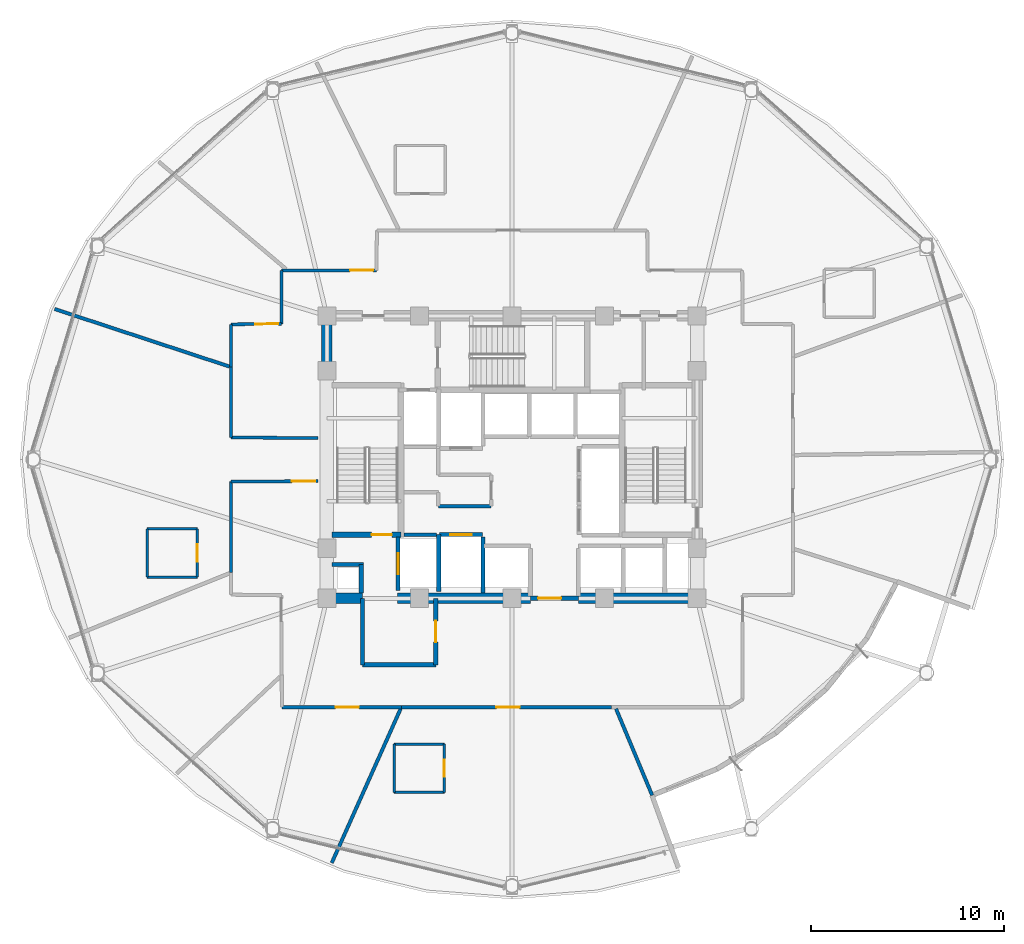
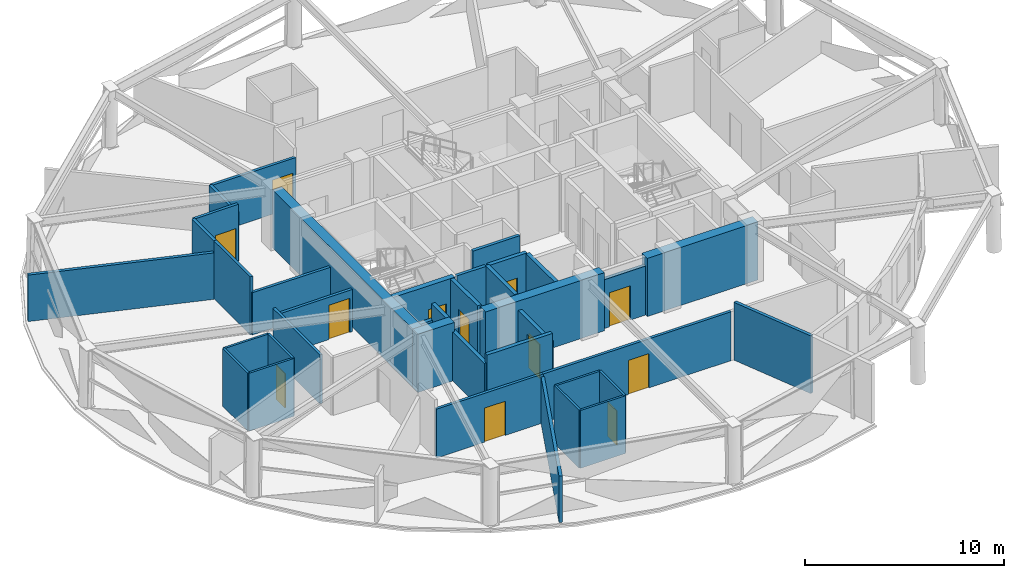
# One storey, part 10 of 16: 38 walls, 12 doors, 12 openings.
"""IFC4 building model written with IfcOpenShell, lengths in metres."""

from ifc_helpers import new_model, si_unit, direction, frame, frame_2d, origin, place, context, subcontext, project, spatial, rectangle, extrude, material, layer, layer_set, type_object, element, fill, save


model = new_model("IFC4")

# Units and contexts
model_context = context("Model", 3, precision=1e-05, world=origin(), true_north=direction((0.0, 1.0)))
body_context = subcontext(model_context, "Body", "Model", "MODEL_VIEW")
ifc_project = project(units=[si_unit("LENGTHUNIT", "METRE"), si_unit("AREAUNIT", "SQUARE_METRE"), si_unit("VOLUMEUNIT", "CUBIC_METRE"), si_unit("PLANEANGLEUNIT", "RADIAN"), si_unit("MASSUNIT", "GRAM", prefix="KILO")], contexts=[model_context])

# Site, building, storey
site_placement = place(None, origin())
site = spatial("IfcSite", under=ifc_project, at=site_placement, CompositionType="ELEMENT")
building_placement = place(site_placement, origin())
building = spatial("IfcBuilding", under=site, at=building_placement, Name="Vantalir Tower", CompositionType="ELEMENT")
storey_placement = place(building_placement, frame((0.0, 0.0, 145.949951171875)))
storey = spatial("IfcBuildingStorey", under=building, at=storey_placement, Name="L36", CompositionType="ELEMENT", Elevation=145.949951171875)

# Walls
ifc_material_1 = material(Name="Moisture-resistant en-suite partition", Category="gypsum")
ifc_layer_1 = layer(ifc_material_1, 0.125)
ifc_layer_set_1 = layer_set([ifc_layer_1], Name="Moisture-resistant en-suite partition")
wall_type_1 = type_object("IfcWallType", Name="WL-BATH-125", PredefinedType="PARTITIONING", material=ifc_layer_set_1)
for number, where, z_axis, x_axis, name in (
    (1, (12.575927734375, 18.904052734375, 0.0), (0.0, 0.0, 1.0), (1.0, 0.0, 0.0), "L36 En-suite 05 South Wall"),
    (2, (12.575927734375, 21.404052734375, 0.0), (0.0, 0.0, 1.0), (1.0, 0.0, 0.0), "L36 En-suite 05 North Wall"),
):
    element("IfcWall", number, at=place(storey_placement, frame(where, z_axis=z_axis, x_axis=x_axis)), inside=storey, type_object=wall_type_1, Name=name, PredefinedType="PARTITIONING", context=body_context, shape_type="SweptSolid", body=[
        extrude(rectangle(XDim=2.60009765625, YDim=0.125, at=frame_2d((1.300048828125, 0.0))), origin(), (0.0, 0.0, 1.0), 3.550048828125),
    ])
wall_1_placement = place(storey_placement, frame((12.575927734375, 18.904052734375, 0.0), z_axis=(0.0, 0.0, 1.0), x_axis=(0.0, 1.0, 0.0)))
element("IfcWall", 3, at=wall_1_placement, inside=storey, type_object=wall_type_1, Name="L36 En-suite 05 West Wall", PredefinedType="PARTITIONING", context=body_context, shape_type="SweptSolid", body=[
    extrude(rectangle(XDim=2.5, YDim=0.125, at=frame_2d((1.25, 0.0))), origin(), (0.0, 0.0, 1.0), 3.550048828125),
])

# Wall, opening, door
wall_2_placement = place(storey_placement, frame((15.176025390625, 18.904052734375, 0.0), z_axis=(0.0, 0.0, 1.0), x_axis=(0.0, 1.0, 0.0)))
wall_2 = element("IfcWall", 4, at=wall_2_placement, inside=storey, type_object=wall_type_1, Name="L36 En-suite 05 East Wall", PredefinedType="PARTITIONING", context=body_context, shape_type="SweptSolid", body=[
    extrude(rectangle(XDim=2.5, YDim=0.125, at=frame_2d((1.25, 0.0))), origin(), (0.0, 0.0, 1.0), 3.550048828125),
])
opening_1_placement = place(wall_2_placement, frame((0.800048828125, 0.0, 0.0)))
opening_1 = element("IfcOpeningElement", 5, at=opening_1_placement, cuts=wall_2, Name="Opening D-WC", PredefinedType="OPENING", context=body_context, shape_type="SweptSolid", body=[
    extrude(rectangle(XDim=0.89990234375, YDim=2.10009765625, at=frame_2d((0.449951171875, 1.050048828125))), frame((0.0, 0.072509765625, 0.0), z_axis=(0.0, -1.0, 0.0), x_axis=(1.0, 0.0, 0.0)), (0.0, 0.0, 1.0), 0.14501953125),
])
ifc_material_2 = material(Name="Moisture-resistant hardwood door", Category="wood")
door_type_1 = type_object("IfcDoorType", Name="DR-ENSUITE-900", OperationType="NOTDEFINED", PredefinedType="DOOR", material=ifc_material_2)
door_1_placement = place(opening_1_placement, origin())
door_1 = element("IfcDoor", 6, at=door_1_placement, inside=storey, type_object=door_type_1, Name="L36 En-suite 05 Door", OperationType="SINGLE_SWING_RIGHT", OverallHeight=2.10009765625, OverallWidth=0.89990234375, PredefinedType="DOOR", context=body_context, shape_type="SweptSolid", body=[
    extrude(rectangle(XDim=0.89990234375, YDim=2.10009765625, at=frame_2d((0.449951171875, 1.050048828125))), frame((0.0, 0.02490234375, 0.0), z_axis=(0.0, -1.0, 0.0), x_axis=(1.0, 0.0, 0.0)), (0.0, 0.0, 1.0), 0.050048828125),
])
fill(opening_1, door_1)

# Walls
for number, where, z_axis, x_axis, name in (
    (7, (25.389892578125, 7.738037109375, 0.0), (0.0, 0.0, 1.0), (1.0, 0.0, 0.0), "L36 En-suite 08 South Wall"),
    (8, (25.389892578125, 10.238037109375, 0.0), (0.0, 0.0, 1.0), (1.0, 0.0, 0.0), "L36 En-suite 08 North Wall"),
):
    element("IfcWall", number, at=place(storey_placement, frame(where, z_axis=z_axis, x_axis=x_axis)), inside=storey, type_object=wall_type_1, Name=name, PredefinedType="PARTITIONING", context=body_context, shape_type="SweptSolid", body=[
        extrude(rectangle(XDim=2.60009765625, YDim=0.125, at=frame_2d((1.300048828125, 0.0))), origin(), (0.0, 0.0, 1.0), 3.550048828125),
    ])
wall_3_placement = place(storey_placement, frame((25.389892578125, 7.738037109375, 0.0), z_axis=(0.0, 0.0, 1.0), x_axis=(0.0, 1.0, 0.0)))
element("IfcWall", 9, at=wall_3_placement, inside=storey, type_object=wall_type_1, Name="L36 En-suite 08 West Wall", PredefinedType="PARTITIONING", context=body_context, shape_type="SweptSolid", body=[
    extrude(rectangle(XDim=2.5, YDim=0.125, at=frame_2d((1.25, 0.0))), origin(), (0.0, 0.0, 1.0), 3.550048828125),
])

# Wall, opening, door
wall_4_placement = place(storey_placement, frame((27.989990234375, 7.738037109375, 0.0), z_axis=(0.0, 0.0, 1.0), x_axis=(0.0, 1.0, 0.0)))
wall_4 = element("IfcWall", 10, at=wall_4_placement, inside=storey, type_object=wall_type_1, Name="L36 En-suite 08 East Wall", PredefinedType="PARTITIONING", context=body_context, shape_type="SweptSolid", body=[
    extrude(rectangle(XDim=2.5, YDim=0.125, at=frame_2d((1.25, 0.0))), origin(), (0.0, 0.0, 1.0), 3.550048828125),
])
opening_2_placement = place(wall_4_placement, frame((0.800048828125, 0.0, 0.0)))
opening_2 = element("IfcOpeningElement", 11, at=opening_2_placement, cuts=wall_4, Name="Opening D-WC", PredefinedType="OPENING", context=body_context, shape_type="SweptSolid", body=[
    extrude(rectangle(XDim=0.89990234375, YDim=2.10009765625, at=frame_2d((0.449951171875, 1.050048828125))), frame((0.0, 0.072509765625, 0.0), z_axis=(0.0, -1.0, 0.0), x_axis=(1.0, 0.0, 0.0)), (0.0, 0.0, 1.0), 0.14501953125),
])
door_2_placement = place(opening_2_placement, origin())
door_2 = element("IfcDoor", 12, at=door_2_placement, inside=storey, type_object=door_type_1, Name="L36 En-suite 08 Door", OperationType="SINGLE_SWING_LEFT", OverallHeight=2.10009765625, OverallWidth=0.89990234375, PredefinedType="DOOR", context=body_context, shape_type="SweptSolid", body=[
    extrude(rectangle(XDim=0.89990234375, YDim=2.10009765625, at=frame_2d((0.449951171875, 1.050048828125))), frame((0.0, 0.02490234375, 0.0), z_axis=(0.0, -1.0, 0.0), x_axis=(1.0, 0.0, 0.0)), (0.0, 0.0, 1.0), 0.050048828125),
])
fill(opening_2, door_2)

# Walls
ifc_material_3 = material(Name="Concrete C60/75", Category="concrete")
ifc_layer_2 = layer(ifc_material_3, 0.550048828125)
ifc_layer_set_2 = layer_set([ifc_layer_2], Name="Concrete C60/75")
wall_type_2 = type_object("IfcWallType", Name="WL-CORE-550", PredefinedType="SHEAR", material=ifc_layer_set_2)
wall_5_placement = place(storey_placement, frame((21.625, 17.800048828125, 0.0), z_axis=(0.0, 0.0, 1.0), x_axis=(1.0, 0.0, 0.0)))
element("IfcWall", 13, at=wall_5_placement, inside=storey, type_object=wall_type_2, Name="L36 Core Shear Wall South-West", PredefinedType="SHEAR", context=body_context, shape_type="SweptSolid", body=[
    extrude(rectangle(XDim=2.125, YDim=0.550048828125, at=frame_2d((1.0625, 0.0))), origin(), (0.0, 0.0, 1.0), 3.570068359375),
])
wall_6_placement = place(storey_placement, frame((25.550048828125, 17.800048828125, 0.0), z_axis=(0.0, 0.0, 1.0), x_axis=(1.0, 0.0, 0.0)))
element("IfcWall", 14, at=wall_6_placement, inside=storey, type_object=wall_type_2, Name="L36 Core Shear Wall South-Mid", PredefinedType="SHEAR", context=body_context, shape_type="SweptSolid", body=[
    extrude(rectangle(XDim=6.89990234375, YDim=0.550048828125, at=frame_2d((3.449951171875, 0.0))), origin(), (0.0, 0.0, 1.0), 3.570068359375),
])
wall_7_placement = place(storey_placement, frame((34.949951171875, 17.800048828125, 0.0), z_axis=(0.0, 0.0, 1.0), x_axis=(1.0, 0.0, 0.0)))
element("IfcWall", 15, at=wall_7_placement, inside=storey, type_object=wall_type_2, Name="L36 Core Shear Wall South-East", PredefinedType="SHEAR", context=body_context, shape_type="SweptSolid", body=[
    extrude(rectangle(XDim=6.425048828125, YDim=0.550048828125, at=frame_2d((3.21240234375, 0.0))), origin(), (0.0, 0.0, 1.0), 3.570068359375),
])
wall_8_placement = place(storey_placement, frame((21.89990234375, 18.074951171875, 0.0), z_axis=(0.0, 0.0, 1.0), x_axis=(0.0, 1.0, 0.0)))
element("IfcWall", 16, at=wall_8_placement, inside=storey, type_object=wall_type_2, Name="L36 Core Shear Wall West", PredefinedType="SHEAR", context=body_context, shape_type="SweptSolid", body=[
    extrude(rectangle(XDim=14.10009765625, YDim=0.550048828125, at=frame_2d((7.050048828125, 0.0))), origin(), (0.0, 0.0, 1.0), 3.570068359375),
])
ifc_material_4 = material(Name="Fire-rated hotel corridor acoustic partition", Category="gypsum")
ifc_layer_3 = layer(ifc_material_4, 0.159912109375)
ifc_layer_set_3 = layer_set([ifc_layer_3], Name="Fire-rated hotel corridor acoustic partition")
wall_type_3 = type_object("IfcWallType", Name="WL-CORR-160", PredefinedType="PARTITIONING", material=ifc_layer_set_3)
wall_9_placement = place(storey_placement, frame((21.445068359375, 26.115966796875, 0.0), z_axis=(0.0, 0.0, 1.0), x_axis=(-0.999983292409, 0.005780562522, 0.0)))
element("IfcWall", 17, at=wall_9_placement, inside=storey, type_object=wall_type_3, Name="L36 Corridor Partition 01", PredefinedType="PARTITIONING", context=body_context, shape_type="SweptSolid", body=[
    extrude(rectangle(XDim=4.51904296875, YDim=0.159912109375, at=frame_2d((2.259521484375, 0.0))), origin(), (0.0, 0.0, 1.0), 2.594970703125),
])
wall_10_placement = place(storey_placement, frame((16.926025390625, 26.14208984375, 0.0), z_axis=(0.0, 0.0, 1.0), x_axis=(0.0, 1.0, 0.0)))
element("IfcWall", 18, at=wall_10_placement, inside=storey, type_object=wall_type_3, Name="L36 Corridor Partition 02", PredefinedType="PARTITIONING", context=body_context, shape_type="SweptSolid", body=[
    extrude(rectangle(XDim=3.65380859375, YDim=0.159912109375, at=frame_2d((1.826904296875, 0.0))), origin(), (0.0, 0.0, 1.0), 3.550048828125),
])
wall_11_placement = place(storey_placement, frame((16.926025390625, 29.7958984375, 0.0), z_axis=(0.0, 0.0, 1.0), x_axis=(0.000440674189, 0.999999902903, 0.0)))
element("IfcWall", 19, at=wall_11_placement, inside=storey, type_object=wall_type_3, Name="L36 Corridor Partition 03", PredefinedType="PARTITIONING", context=body_context, shape_type="SweptSolid", body=[
    extrude(rectangle(XDim=2.216064453125, YDim=0.159912109375, at=frame_2d((1.10791015625, 0.0))), origin(), (0.0, 0.0, 1.0), 3.550048828125),
])

# Wall, opening, door
wall_12_placement = place(storey_placement, frame((16.927001953125, 32.011962890625, 0.0), z_axis=(0.0, 0.0, 1.0), x_axis=(0.99994205409, 0.010765150367, 0.0)))
wall_12 = element("IfcWall", 20, at=wall_12_placement, inside=storey, type_object=wall_type_3, Name="L36 Corridor Partition 04", PredefinedType="PARTITIONING", context=body_context, shape_type="SweptSolid", body=[
    extrude(rectangle(XDim=2.608154296875, YDim=0.159912109375, at=frame_2d((1.30419921875, 0.0))), origin(), (0.0, 0.0, 1.0), 3.550048828125),
])
opening_3_placement = place(wall_12_placement, frame((1.248046875, 0.0, 0.0)))
opening_3 = element("IfcOpeningElement", 21, at=opening_3_placement, cuts=wall_12, Name="Opening D-STE", PredefinedType="OPENING", context=body_context, shape_type="SweptSolid", body=[
    extrude(rectangle(XDim=1.199951171875, YDim=2.10009765625, at=frame_2d((0.60009765625, 1.050048828125))), frame((0.0, 0.08984375, 0.0), z_axis=(0.0, -1.0, 0.0), x_axis=(1.0, 0.0, 0.0)), (0.0, 0.0, 1.0), 0.179931640625),
])
ifc_material_5 = material(Name="Solid-core teak veneer suite entrance door", Category="wood")
door_type_2 = type_object("IfcDoorType", Name="DR-SUITE-ENTRY-1200", OperationType="NOTDEFINED", PredefinedType="DOOR", material=ifc_material_5)
door_3_placement = place(opening_3_placement, origin())
door_3 = element("IfcDoor", 22, at=door_3_placement, inside=storey, type_object=door_type_2, Name="L36 Executive Sky Boardroom 04 Door", OperationType="SINGLE_SWING_RIGHT", OverallHeight=2.10009765625, OverallWidth=1.199951171875, PredefinedType="DOOR", context=body_context, shape_type="SweptSolid", body=[
    extrude(rectangle(XDim=1.199951171875, YDim=2.10009765625, at=frame_2d((0.60009765625, 1.050048828125))), frame((0.0, 0.02490234375, 0.0), z_axis=(0.0, -1.0, 0.0), x_axis=(1.0, 0.0, 0.0)), (0.0, 0.0, 1.0), 0.050048828125),
])
fill(opening_3, door_3)

# Wall
wall_13_placement = place(storey_placement, frame((19.534912109375, 32.0400390625, 0.0), z_axis=(0.0, 0.0, 1.0), x_axis=(0.006526585281, 0.999978701615, 0.0)))
element("IfcWall", 23, at=wall_13_placement, inside=storey, type_object=wall_type_3, Name="L36 Corridor Partition 05", PredefinedType="PARTITIONING", context=body_context, shape_type="SweptSolid", body=[
    extrude(rectangle(XDim=2.76806640625, YDim=0.159912109375, at=frame_2d((1.384033203125, 0.0))), origin(), (0.0, 0.0, 1.0), 3.006103515625),
])

# Wall, opening, door
wall_14_placement = place(storey_placement, frame((19.552978515625, 34.80810546875, 0.0), z_axis=(0.0, 0.0, 1.0), x_axis=(0.999999029632, 0.001393102783, 0.0)))
wall_14 = element("IfcWall", 24, at=wall_14_placement, inside=storey, type_object=wall_type_3, Name="L36 Corridor Partition 06", PredefinedType="PARTITIONING", context=body_context, shape_type="SweptSolid", body=[
    extrude(rectangle(XDim=4.906982421875, YDim=0.159912109375, at=frame_2d((2.45361328125, 0.0))), origin(), (0.0, 0.0, 1.0), 3.006103515625),
])
opening_4_placement = place(wall_14_placement, frame((3.547119140625, 0.0, 0.0)))
opening_4 = element("IfcOpeningElement", 25, at=opening_4_placement, cuts=wall_14, Name="Opening D-STE", PredefinedType="OPENING", context=body_context, shape_type="SweptSolid", body=[
    extrude(rectangle(XDim=1.199951171875, YDim=2.10009765625, at=frame_2d((0.60009765625, 1.050048828125))), frame((0.0, 0.08984375, 0.0), z_axis=(0.0, -1.0, 0.0), x_axis=(1.0, 0.0, 0.0)), (0.0, 0.0, 1.0), 0.179931640625),
])
door_4_placement = place(opening_4_placement, origin())
door_4 = element("IfcDoor", 26, at=door_4_placement, inside=storey, type_object=door_type_2, Name="L36 Club Reading Lounge 03 Door", OperationType="SINGLE_SWING_LEFT", OverallHeight=2.10009765625, OverallWidth=1.199951171875, PredefinedType="DOOR", context=body_context, shape_type="SweptSolid", body=[
    extrude(rectangle(XDim=1.199951171875, YDim=2.10009765625, at=frame_2d((0.60009765625, 1.050048828125))), frame((0.0, 0.02490234375, 0.0), z_axis=(0.0, -1.0, 0.0), x_axis=(1.0, 0.0, 0.0)), (0.0, 0.0, 1.0), 0.050048828125),
])
fill(opening_4, door_4)

wall_15_placement = place(storey_placement, frame((36.672119140625, 12.15087890625, 0.0), z_axis=(0.0, 0.0, 1.0), x_axis=(-1.0, 0.0, 0.0)))
wall_15 = element("IfcWall", 27, at=wall_15_placement, inside=storey, type_object=wall_type_3, Name="L36 Corridor Partition 23", PredefinedType="PARTITIONING", context=body_context, shape_type="SweptSolid", body=[
    extrude(rectangle(XDim=10.9130859375, YDim=0.159912109375, at=frame_2d((5.45654296875, 0.0))), origin(), (0.0, 0.0, 1.0), 3.006103515625),
])
opening_5_placement = place(wall_15_placement, frame((4.781982421875, 0.0, 0.0)))
opening_5 = element("IfcOpeningElement", 28, at=opening_5_placement, cuts=wall_15, Name="Opening D-STE", PredefinedType="OPENING", context=body_context, shape_type="SweptSolid", body=[
    extrude(rectangle(XDim=1.199951171875, YDim=2.10009765625, at=frame_2d((0.60009765625, 1.050048828125))), frame((0.0, 0.08984375, 0.0), z_axis=(0.0, -1.0, 0.0), x_axis=(1.0, 0.0, 0.0)), (0.0, 0.0, 1.0), 0.179931640625),
])
door_5_placement = place(opening_5_placement, origin())
door_5 = element("IfcDoor", 29, at=door_5_placement, inside=storey, type_object=door_type_2, Name="L36 Executive Club Hotel Suite 08 Door", OperationType="SINGLE_SWING_RIGHT", OverallHeight=2.10009765625, OverallWidth=1.199951171875, PredefinedType="DOOR", context=body_context, shape_type="SweptSolid", body=[
    extrude(rectangle(XDim=1.199951171875, YDim=2.10009765625, at=frame_2d((0.60009765625, 1.050048828125))), frame((0.0, 0.02490234375, 0.0), z_axis=(0.0, -1.0, 0.0), x_axis=(1.0, 0.0, 0.0)), (0.0, 0.0, 1.0), 0.050048828125),
])
fill(opening_5, door_5)

wall_16_placement = place(storey_placement, frame((25.759033203125, 12.15087890625, 0.0), z_axis=(0.0, 0.0, 1.0), x_axis=(-0.999999980593, 0.000197013275, 0.0)))
wall_16 = element("IfcWall", 30, at=wall_16_placement, inside=storey, type_object=wall_type_3, Name="L36 Corridor Partition 24", PredefinedType="PARTITIONING", context=body_context, shape_type="SweptSolid", body=[
    extrude(rectangle(XDim=6.196044921875, YDim=0.159912109375, at=frame_2d((3.09814453125, 0.0))), origin(), (0.0, 0.0, 1.0), 3.006103515625),
])
opening_6_placement = place(wall_16_placement, frame((2.2060546875, 0.0, 0.0)))
opening_6 = element("IfcOpeningElement", 31, at=opening_6_placement, cuts=wall_16, Name="Opening D-STE", PredefinedType="OPENING", context=body_context, shape_type="SweptSolid", body=[
    extrude(rectangle(XDim=1.199951171875, YDim=2.10009765625, at=frame_2d((0.60009765625, 1.050048828125))), frame((0.0, 0.08984375, 0.0), z_axis=(0.0, -1.0, 0.0), x_axis=(1.0, 0.0, 0.0)), (0.0, 0.0, 1.0), 0.179931640625),
])
door_6_placement = place(opening_6_placement, origin())
door_6 = element("IfcDoor", 32, at=door_6_placement, inside=storey, type_object=door_type_2, Name="L36 Executive Sky Boardroom 07 Door", OperationType="SINGLE_SWING_LEFT", OverallHeight=2.10009765625, OverallWidth=1.199951171875, PredefinedType="DOOR", context=body_context, shape_type="SweptSolid", body=[
    extrude(rectangle(XDim=1.199951171875, YDim=2.10009765625, at=frame_2d((0.60009765625, 1.050048828125))), frame((0.0, 0.02490234375, 0.0), z_axis=(0.0, -1.0, 0.0), x_axis=(1.0, 0.0, 0.0)), (0.0, 0.0, 1.0), 0.050048828125),
])
fill(opening_6, door_6)

# Wall
wall_17_placement = place(storey_placement, frame((16.926025390625, 19.133056640625, 0.0), z_axis=(0.0, 0.0, 1.0), x_axis=(-0.000206857316, 0.999999978605, 0.0)))
element("IfcWall", 33, at=wall_17_placement, inside=storey, type_object=wall_type_3, Name="L36 Corridor Partition 29", PredefinedType="PARTITIONING", context=body_context, shape_type="SweptSolid", body=[
    extrude(rectangle(XDim=4.720947265625, YDim=0.159912109375, at=frame_2d((2.3603515625, 0.0))), origin(), (0.0, 0.0, 1.0), 3.006103515625),
])

# Wall, opening, door
wall_18_placement = place(storey_placement, frame((16.925048828125, 23.85400390625, 0.0), z_axis=(0.0, 0.0, 1.0), x_axis=(0.999979343823, 0.006427435558, 0.0)))
wall_18 = element("IfcWall", 34, at=wall_18_placement, inside=storey, type_object=wall_type_3, Name="L36 Corridor Partition 30", PredefinedType="PARTITIONING", context=body_context, shape_type="SweptSolid", body=[
    extrude(rectangle(XDim=4.52001953125, YDim=0.159912109375, at=frame_2d((2.260009765625, 0.0))), origin(), (0.0, 0.0, 1.0), 2.594970703125),
])
opening_7_placement = place(wall_18_placement, frame((3.159912109375, 0.0, 0.0)))
opening_7 = element("IfcOpeningElement", 35, at=opening_7_placement, cuts=wall_18, Name="Opening D-STE", PredefinedType="OPENING", context=body_context, shape_type="SweptSolid", body=[
    extrude(rectangle(XDim=1.199951171875, YDim=2.10009765625, at=frame_2d((0.60009765625, 1.050048828125))), frame((0.0, 0.08984375, 0.0), z_axis=(0.0, -1.0, 0.0), x_axis=(1.0, 0.0, 0.0)), (0.0, 0.0, 1.0), 0.179931640625),
])
door_7_placement = place(opening_7_placement, origin())
door_7 = element("IfcDoor", 36, at=door_7_placement, inside=storey, type_object=door_type_2, Name="L36 Executive Club Hotel Suite 05 Door", OperationType="SINGLE_SWING_LEFT", OverallHeight=2.10009765625, OverallWidth=1.199951171875, PredefinedType="DOOR", context=body_context, shape_type="SweptSolid", body=[
    extrude(rectangle(XDim=1.199951171875, YDim=2.10009765625, at=frame_2d((0.60009765625, 1.050048828125))), frame((0.0, 0.02490234375, 0.0), z_axis=(0.0, -1.0, 0.0), x_axis=(1.0, 0.0, 0.0)), (0.0, 0.0, 1.0), 0.050048828125),
])
fill(opening_7, door_7)

# Wall
ifc_material_6 = material(Name="Concrete blockwork with fireboard lining", Category="masonry")
ifc_layer_4 = layer(ifc_material_6, 0.219970703125)
ifc_layer_set_4 = layer_set([ifc_layer_4], Name="Concrete blockwork with fireboard lining")
wall_type_4 = type_object("IfcWallType", Name="WL-FFL-220", PredefinedType="PARTITIONING", material=ifc_layer_set_4)
wall_19_placement = place(storey_placement, frame((30.0, 18.080078125, 0.0), z_axis=(0.0, 0.0, 1.0), x_axis=(0.0, 1.0, 0.0)))
element("IfcWall", 37, at=wall_19_placement, inside=storey, type_object=wall_type_4, Name="L36 Service Lift SV1 East Shaft Wall", PredefinedType="PARTITIONING", context=body_context, shape_type="SweptSolid", body=[
    extrude(rectangle(XDim=2.89990234375, YDim=0.219970703125, at=frame_2d((1.449951171875, 0.0))), origin(), (0.0, 0.0, 1.0), 3.545166015625),
])

# Wall, opening, door
wall_20_placement = place(storey_placement, frame((32.449951171875, 17.800048828125, 0.0), z_axis=(0.0, 0.0, 1.0), x_axis=(1.0, 0.0, 0.0)))
wall_20 = element("IfcWall", 38, at=wall_20_placement, inside=storey, type_object=wall_type_4, Name="L36 Passenger Lift Lobby South Wall", PredefinedType="PARTITIONING", context=body_context, shape_type="SweptSolid", body=[
    extrude(rectangle(XDim=2.5, YDim=0.219970703125, at=frame_2d((1.25, 0.0))), origin(), (0.0, 0.0, 1.0), 3.006103515625),
])
opening_8_placement = place(wall_20_placement, frame((0.39990234375, 0.0, 0.0)))
opening_8 = element("IfcOpeningElement", 39, at=opening_8_placement, cuts=wall_20, Name="Opening D-STE", PredefinedType="OPENING", context=body_context, shape_type="SweptSolid", body=[
    extrude(rectangle(XDim=1.199951171875, YDim=2.10009765625, at=frame_2d((0.60009765625, 1.050048828125))), frame((0.0, 0.119873046875, 0.0), z_axis=(0.0, -1.0, 0.0), x_axis=(1.0, 0.0, 0.0)), (0.0, 0.0, 1.0), 0.239990234375),
])
door_8_placement = place(opening_8_placement, origin())
door_8 = element("IfcDoor", 40, at=door_8_placement, inside=storey, type_object=door_type_2, Name="L36 Passenger Lift Lobby Concourse Door", OperationType="SINGLE_SWING_LEFT", OverallHeight=2.10009765625, OverallWidth=1.199951171875, PredefinedType="DOOR", context=body_context, shape_type="SweptSolid", body=[
    extrude(rectangle(XDim=1.199951171875, YDim=2.10009765625, at=frame_2d((0.60009765625, 1.050048828125))), frame((0.0, 0.02490234375, 0.0), z_axis=(0.0, -1.0, 0.0), x_axis=(1.0, 0.0, 0.0)), (0.0, 0.0, 1.0), 0.050048828125),
])
fill(opening_8, door_8)

# Walls
wall_21_placement = place(storey_placement, frame((23.679931640625, 18.074951171875, 0.0), z_axis=(0.0, 0.0, 1.0), x_axis=(0.0, 1.0, 0.0)))
element("IfcWall", 41, at=wall_21_placement, inside=storey, type_object=wall_type_4, Name="L36 West MEP Riser Wall E", PredefinedType="PARTITIONING", context=body_context, shape_type="SweptSolid", body=[
    extrude(rectangle(XDim=1.47509765625, YDim=0.219970703125, at=frame_2d((0.737548828125, 0.0))), origin(), (0.0, 0.0, 1.0), 3.550048828125),
])
wall_22_placement = place(storey_placement, frame((22.175048828125, 19.550048828125, 0.0), z_axis=(0.0, 0.0, 1.0), x_axis=(1.0, 0.0, 0.0)))
element("IfcWall", 42, at=wall_22_placement, inside=storey, type_object=wall_type_4, Name="L36 West MEP Riser Wall N", PredefinedType="PARTITIONING", context=body_context, shape_type="SweptSolid", body=[
    extrude(rectangle(XDim=1.614990234375, YDim=0.219970703125, at=frame_2d((0.8076171875, 0.0))), origin(), (0.0, 0.0, 1.0), 2.594970703125),
])

# Wall, opening, door
wall_23_placement = place(storey_placement, frame((25.590087890625, 18.219970703125, 0.0), z_axis=(0.0, 0.0, 1.0), x_axis=(0.0, 1.0, 0.0)))
wall_23 = element("IfcWall", 43, at=wall_23_placement, inside=storey, type_object=wall_type_4, Name="L36 Lift FL1 Shaft Front Wall", PredefinedType="PARTITIONING", context=body_context, shape_type="SweptSolid", body=[
    extrude(rectangle(XDim=2.760009765625, YDim=0.219970703125, at=frame_2d((1.3798828125, 0.0))), origin(), (0.0, 0.0, 1.0), 3.550048828125),
])
opening_9_placement = place(wall_23_placement, frame((0.830078125, 0.0, 0.0)))
opening_9 = element("IfcOpeningElement", 44, at=opening_9_placement, cuts=wall_23, Name="Opening LD-FL1", PredefinedType="OPENING", context=body_context, shape_type="SweptSolid", body=[
    extrude(rectangle(XDim=1.10009765625, YDim=2.199951171875, at=frame_2d((0.550048828125, 1.10009765625))), frame((0.0, 0.119873046875, 0.0), z_axis=(0.0, -1.0, 0.0), x_axis=(1.0, 0.0, 0.0)), (0.0, 0.0, 1.0), 0.239990234375),
])
ifc_material_7 = material(Name="Brushed stainless-steel sliding lift landing door", Category="steel")
door_type_3 = type_object("IfcDoorType", Name="DR-LIFT-LANDING-1100", OperationType="DOUBLE_DOOR_SLIDING", PredefinedType="DOOR", material=ifc_material_7)
door_9_placement = place(opening_9_placement, origin())
door_9 = element("IfcDoor", 45, at=door_9_placement, inside=storey, type_object=door_type_3, Name="L36 Lift Landing Door FL1", OperationType="DOUBLE_DOOR_SLIDING", OverallHeight=2.199951171875, OverallWidth=1.10009765625, PredefinedType="DOOR", context=body_context, shape_type="SweptSolid", body=[
    extrude(rectangle(XDim=1.10009765625, YDim=2.199951171875, at=frame_2d((0.550048828125, 1.10009765625))), frame((0.0, 0.02490234375, 0.0), z_axis=(0.0, -1.0, 0.0), x_axis=(1.0, 0.0, 0.0)), (0.0, 0.0, 1.0), 0.050048828125),
])
fill(opening_9, door_9)

wall_24_placement = place(storey_placement, frame((27.739990234375, 21.110107421875, 0.0), z_axis=(0.0, 0.0, 1.0), x_axis=(1.0, 0.0, 0.0)))
wall_24 = element("IfcWall", 46, at=wall_24_placement, inside=storey, type_object=wall_type_4, Name="L36 Lift SV1 Shaft Front Wall", PredefinedType="PARTITIONING", context=body_context, shape_type="SweptSolid", body=[
    extrude(rectangle(XDim=2.219970703125, YDim=0.219970703125, at=frame_2d((1.10986328125, 0.0))), origin(), (0.0, 0.0, 1.0), 3.550048828125),
])
opening_10_placement = place(wall_24_placement, frame((0.56005859375, 0.0, 0.0)))
opening_10 = element("IfcOpeningElement", 47, at=opening_10_placement, cuts=wall_24, Name="Opening LD-SV1", PredefinedType="OPENING", context=body_context, shape_type="SweptSolid", body=[
    extrude(rectangle(XDim=1.10009765625, YDim=2.199951171875, at=frame_2d((0.550048828125, 1.10009765625))), frame((0.0, 0.119873046875, 0.0), z_axis=(0.0, -1.0, 0.0), x_axis=(1.0, 0.0, 0.0)), (0.0, 0.0, 1.0), 0.239990234375),
])
door_10_placement = place(opening_10_placement, origin())
door_10 = element("IfcDoor", 48, at=door_10_placement, inside=storey, type_object=door_type_3, Name="L36 Lift Landing Door SV1", OperationType="DOUBLE_DOOR_SLIDING", OverallHeight=2.199951171875, OverallWidth=1.10009765625, PredefinedType="DOOR", context=body_context, shape_type="SweptSolid", body=[
    extrude(rectangle(XDim=1.10009765625, YDim=2.199951171875, at=frame_2d((0.550048828125, 1.10009765625))), frame((0.0, 0.02490234375, 0.0), z_axis=(0.0, -1.0, 0.0), x_axis=(1.0, 0.0, 0.0)), (0.0, 0.0, 1.0), 0.050048828125),
])
fill(opening_10, door_10)

# Walls
wall_25_placement = place(storey_placement, frame((27.699951171875, 18.14990234375, 0.0), z_axis=(0.0, 0.0, 1.0), x_axis=(0.0, 1.0, 0.0)))
element("IfcWall", 49, at=wall_25_placement, inside=storey, type_object=wall_type_4, Name="L36 Fire Lift FL1 Dividing Wall", PredefinedType="PARTITIONING", context=body_context, shape_type="SweptSolid", body=[
    extrude(rectangle(XDim=2.9501953125, YDim=0.219970703125, at=frame_2d((1.47509765625, 0.0))), origin(), (0.0, 0.0, 1.0), 3.550048828125),
])
wall_26_placement = place(storey_placement, frame((23.75, 14.35009765625, 0.0), z_axis=(0.0, 0.0, 1.0), x_axis=(0.0, 1.0, 0.0)))
element("IfcWall", 50, at=wall_26_placement, inside=storey, type_object=wall_type_4, Name="L36 Firefighting Lobby West Outer W", PredefinedType="PARTITIONING", context=body_context, shape_type="SweptSolid", body=[
    extrude(rectangle(XDim=3.449951171875, YDim=0.219970703125, at=frame_2d((1.72509765625, 0.0))), origin(), (0.0, 0.0, 1.0), 3.006103515625),
])
wall_27_placement = place(storey_placement, frame((23.75, 14.35009765625, 0.0), z_axis=(0.0, 0.0, 1.0), x_axis=(1.0, 0.0, 0.0)))
element("IfcWall", 51, at=wall_27_placement, inside=storey, type_object=wall_type_4, Name="L36 Firefighting Lobby West South Wall", PredefinedType="PARTITIONING", context=body_context, shape_type="SweptSolid", body=[
    extrude(rectangle(XDim=3.800048828125, YDim=0.219970703125, at=frame_2d((1.89990234375, 0.0))), origin(), (0.0, 0.0, 1.0), 3.550048828125),
])

# Wall, opening, door
wall_28_placement = place(storey_placement, frame((27.550048828125, 14.35009765625, 0.0), z_axis=(0.0, 0.0, 1.0), x_axis=(0.0, 1.0, 0.0)))
wall_28 = element("IfcWall", 52, at=wall_28_placement, inside=storey, type_object=wall_type_4, Name="L36 Firefighting Lobby West East Wall", PredefinedType="PARTITIONING", context=body_context, shape_type="SweptSolid", body=[
    extrude(rectangle(XDim=3.449951171875, YDim=0.219970703125, at=frame_2d((1.72509765625, 0.0))), origin(), (0.0, 0.0, 1.0), 3.006103515625),
])
opening_11_placement = place(wall_28_placement, frame((1.175048828125, 0.0, 0.0)))
opening_11 = element("IfcOpeningElement", 53, at=opening_11_placement, cuts=wall_28, Name="Opening D-FFL", PredefinedType="OPENING", context=body_context, shape_type="SweptSolid", body=[
    extrude(rectangle(XDim=1.10009765625, YDim=2.10009765625, at=frame_2d((0.550048828125, 1.050048828125))), frame((0.0, 0.119873046875, 0.0), z_axis=(0.0, -1.0, 0.0), x_axis=(1.0, 0.0, 0.0)), (0.0, 0.0, 1.0), 0.239990234375),
])
ifc_material_8 = material(Name="Fire-rated acoustic steel door", Category="steel")
door_type_4 = type_object("IfcDoorType", Name="DR-FIRE-LOBBY-1100", OperationType="NOTDEFINED", PredefinedType="DOOR", material=ifc_material_8)
door_11_placement = place(opening_11_placement, origin())
door_11 = element("IfcDoor", 54, at=door_11_placement, inside=storey, type_object=door_type_4, Name="L36 Firefighting Lobby West Access Door", OperationType="SINGLE_SWING_LEFT", OverallHeight=2.10009765625, OverallWidth=1.10009765625, PredefinedType="DOOR", context=body_context, shape_type="SweptSolid", body=[
    extrude(rectangle(XDim=1.10009765625, YDim=2.10009765625, at=frame_2d((0.550048828125, 1.050048828125))), frame((0.0, 0.02490234375, 0.0), z_axis=(0.0, -1.0, 0.0), x_axis=(1.0, 0.0, 0.0)), (0.0, 0.0, 1.0), 0.050048828125),
])
fill(opening_11, door_11)

# Walls
ifc_material_9 = material(Name="Twin-stud acoustic fire-rated gypsum partition", Category="gypsum")
ifc_layer_5 = layer(ifc_material_9, 0.179931640625)
ifc_layer_set_5 = layer_set([ifc_layer_5], Name="Twin-stud acoustic fire-rated gypsum partition")
wall_type_5 = type_object("IfcWallType", Name="WL-GUEST-180", PredefinedType="PARTITIONING", material=ifc_layer_set_5)
wall_29_placement = place(storey_placement, frame((25.889892578125, 21.10009765625, 0.0), z_axis=(0.0, 0.0, 1.0), x_axis=(1.0, 0.0, 0.0)))
element("IfcWall", 55, at=wall_29_placement, inside=storey, type_object=wall_type_5, Name="L36 Freed West Core South Wall", PredefinedType="PARTITIONING", context=body_context, shape_type="SweptSolid", body=[
    extrude(rectangle(XDim=1.7001953125, YDim=0.179931640625, at=frame_2d((0.85009765625, 0.0))), origin(), (0.0, 0.0, 1.0), 3.550048828125),
])
wall_30_placement = place(storey_placement, frame((27.679931640625, 22.580078125, 0.0), z_axis=(0.0, 0.0, 1.0), x_axis=(1.0, 0.0, 0.0)))
element("IfcWall", 56, at=wall_30_placement, inside=storey, type_object=wall_type_5, Name="L36 West Linen Alcove South Wall", PredefinedType="PARTITIONING", context=body_context, shape_type="SweptSolid", body=[
    extrude(rectangle(XDim=2.739990234375, YDim=0.179931640625, at=frame_2d((1.3701171875, 0.0))), origin(), (0.0, 0.0, 1.0), 3.550048828125),
])
wall_31_placement = place(storey_placement, frame((16.85009765625, 29.821044921875, 0.0), z_axis=(0.0, 0.0, 1.0), x_axis=(-0.949885351633, 0.312598494483, 0.0)))
element("IfcWall", 57, at=wall_31_placement, inside=storey, type_object=wall_type_5, Name="L36 Radial Suite Partition 05", PredefinedType="PARTITIONING", context=body_context, shape_type="SweptSolid", body=[
    extrude(rectangle(XDim=9.5517578125, YDim=0.179931640625, at=frame_2d((4.77587890625, 0.0))), origin(), (0.0, 0.0, 1.0), 2.85205078125),
])
wall_32_placement = place(storey_placement, frame((25.72509765625, 12.074951171875, 0.0), z_axis=(0.0, 0.0, 1.0), x_axis=(-0.40799937457, -0.912982207029, 0.0)))
element("IfcWall", 58, at=wall_32_placement, inside=storey, type_object=wall_type_5, Name="L36 Radial Suite Partition 08", PredefinedType="PARTITIONING", context=body_context, shape_type="SweptSolid", body=[
    extrude(rectangle(XDim=8.76025390625, YDim=0.179931640625, at=frame_2d((4.380126953125, 0.0))), origin(), (0.0, 0.0, 1.0), 2.85205078125),
])
wall_33_placement = place(storey_placement, frame((36.89501953125, 12.074951171875, 0.0), z_axis=(0.0, 0.0, 1.0), x_axis=(0.385274270889, -0.922802111068, 0.0)))
element("IfcWall", 59, at=wall_33_placement, inside=storey, type_object=wall_type_5, Name="L36 Radial Suite Partition 09", PredefinedType="PARTITIONING", context=body_context, shape_type="SweptSolid", body=[
    extrude(rectangle(XDim=4.86669921875, YDim=0.179931640625, at=frame_2d((2.433349609375, 0.0))), origin(), (0.0, 0.0, 1.0), 3.550048828125),
])

# Wall, opening, door
ifc_material_10 = material(Name="Concrete C50/60", Category="concrete")
ifc_layer_6 = layer(ifc_material_10, 0.300048828125)
ifc_layer_set_6 = layer_set([ifc_layer_6], Name="Concrete C50/60")
wall_type_6 = type_object("IfcWallType", Name="WL-STAIR-300", PredefinedType="SHEAR", material=ifc_layer_set_6)
wall_34_placement = place(storey_placement, frame((22.175048828125, 21.10009765625, 0.0), z_axis=(0.0, 0.0, 1.0), x_axis=(1.0, 0.0, 0.0)))
wall_34 = element("IfcWall", 60, at=wall_34_placement, inside=storey, type_object=wall_type_6, Name="L36 Stair ST1 South Wall", PredefinedType="SHEAR", context=body_context, shape_type="SweptSolid", body=[
    extrude(rectangle(XDim=3.56494140625, YDim=0.300048828125, at=frame_2d((1.782470703125, 0.0))), origin(), (0.0, 0.0, 1.0), 3.570068359375),
])
opening_12_placement = place(wall_34_placement, frame((2.044921875, 0.0, 0.0)))
opening_12 = element("IfcOpeningElement", 61, at=opening_12_placement, cuts=wall_34, Name="Opening D-ST", PredefinedType="OPENING", context=body_context, shape_type="SweptSolid", body=[
    extrude(rectangle(XDim=1.050048828125, YDim=2.10009765625, at=frame_2d((0.52490234375, 1.050048828125))), frame((0.0, 0.159912109375, 0.0), z_axis=(0.0, -1.0, 0.0), x_axis=(1.0, 0.0, 0.0)), (0.0, 0.0, 1.0), 0.320068359375),
])
ifc_material_11 = material(Name="Fire-rated steel door leaf", Category="steel")
door_type_5 = type_object("IfcDoorType", Name="DR-FIRE-STAIR-1050", OperationType="NOTDEFINED", PredefinedType="DOOR", material=ifc_material_11)
door_12_placement = place(opening_12_placement, origin())
door_12 = element("IfcDoor", 62, at=door_12_placement, inside=storey, type_object=door_type_5, Name="L36 Exit Stair ST1 Fire Door", OperationType="SINGLE_SWING_LEFT", OverallHeight=2.10009765625, OverallWidth=1.050048828125, PredefinedType="DOOR", context=body_context, shape_type="SweptSolid", body=[
    extrude(rectangle(XDim=1.050048828125, YDim=2.10009765625, at=frame_2d((0.52490234375, 1.050048828125))), frame((0.0, 0.02490234375, 0.0), z_axis=(0.0, -1.0, 0.0), x_axis=(1.0, 0.0, 0.0)), (0.0, 0.0, 1.0), 0.050048828125),
])
fill(opening_12, door_12)

save(model, "model.ifc")
